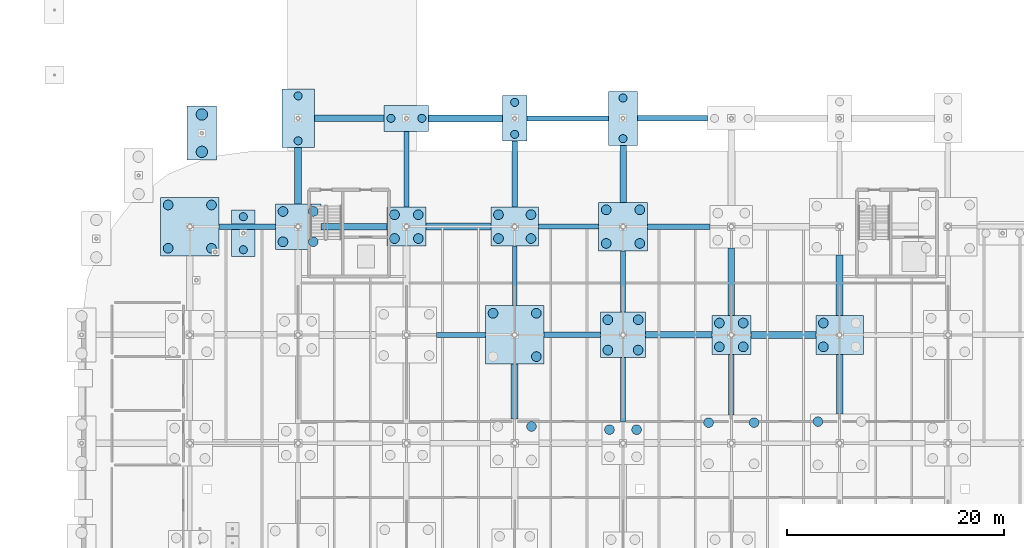
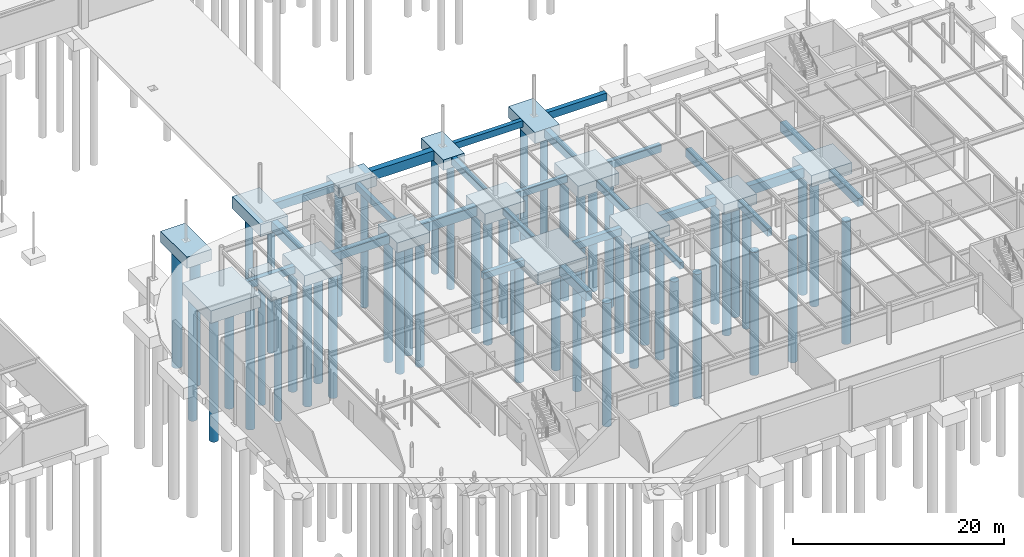
# One storey, part 4 of 75: 51 piles, 40 footings.
"""IFC4 building model written with IfcOpenShell, lengths in metres."""

import ifcopenshell
import ifcopenshell.guid

model = None  # the IFC model being written
_history = None  # IfcOwnerHistory: only IFC2X3 demands one
_inside = {}  # id of a spatial element -> (the spatial element, [elements in it])
_under = {}  # id of a project, library or spatial element -> (it, [spatial elements below it])
_declared = {}  # id of a project -> (the project, [libraries it declares])
_typed = {}  # id of a type object -> (the type object, [elements of that type])
_made_of = {}  # id of a material, layer set ... -> (it, [elements and type objects made of it])


def new_model(schema):
    """Start an empty IFC model of exactly this schema.

    Asked for "IFC4X3", IfcOpenShell would pick the latest addendum, in which some entities
    have other attributes; the version numbers below select the first issue.
    IFC2X3 requires an IfcOwnerHistory on every rooted entity: one is made here for all.
    """
    global model, _history
    if schema == "IFC4X3":
        model = ifcopenshell.file(schema_version=(4, 3, 0, 0))
    else:
        model = ifcopenshell.file(schema=schema)
    _inside.clear()
    _under.clear()
    _declared.clear()
    _typed.clear()
    _made_of.clear()
    _history = None
    if model.schema == "IFC2X3":
        org = make("IfcOrganization", Name="unknown")
        user = make(
            "IfcPersonAndOrganization",
            ThePerson=make("IfcPerson", FamilyName="unknown"),
            TheOrganization=org,
        )
        app = make(
            "IfcApplication",
            ApplicationDeveloper=org,
            Version="unknown",
            ApplicationFullName="unknown",
            ApplicationIdentifier="unknown",
        )
        _history = make(
            "IfcOwnerHistory",
            OwningUser=user,
            OwningApplication=app,
            ChangeAction="ADDED",
            CreationDate=0,
        )
    return model


def make(cls, **values):
    """One entity of the class cls with the attributes given. An attribute that is None is left unset."""
    return model.create_entity(
        cls, **{name: value for name, value in values.items() if value is not None}
    )


def rooted(cls, **values):
    """An entity with a GlobalId (a new one), such as an element, a storey or a relation."""
    return make(cls, GlobalId=ifcopenshell.guid.new(), OwnerHistory=_history, **values)


def si_unit(unit_type, name, prefix=None):
    """IfcSIUnit, for example si_unit("LENGTHUNIT", "METRE", prefix="MILLI")."""
    return make("IfcSIUnit", UnitType=unit_type, Prefix=prefix, Name=name)


def derived_unit(unit_type, elements):
    """IfcDerivedUnit: a product of units, each with its exponent."""
    return make(
        "IfcDerivedUnit",
        Elements=[
            make("IfcDerivedUnitElement", Unit=unit, Exponent=power)
            for unit, power in elements
        ],
        UnitType=unit_type,
    )


def assignment(units):
    """IfcUnitAssignment: the units of a project."""
    return None if units is None else make("IfcUnitAssignment", Units=units)


def point(xyz):
    """IfcCartesianPoint."""
    return None if xyz is None else make("IfcCartesianPoint", Coordinates=xyz)


def direction(xyz):
    """IfcDirection."""
    return None if xyz is None else make("IfcDirection", DirectionRatios=xyz)


def frame(location, z_axis=None, x_axis=None):
    """IfcAxis2Placement3D, a coordinate frame: its origin and axes. An axis left out is left unset."""
    return make(
        "IfcAxis2Placement3D",
        Location=point(location),
        Axis=direction(z_axis),
        RefDirection=direction(x_axis),
    )


def frame_2d(location, x_axis=None):
    """IfcAxis2Placement2D, a coordinate frame in the plane: its origin and x axis."""
    return make(
        "IfcAxis2Placement2D", Location=point(location), RefDirection=direction(x_axis)
    )


def origin():
    """The frame at (0, 0, 0) with its axes left unset."""
    return frame((0.0, 0.0, 0.0))


def origin_2d_with_axis():
    """The frame at (0, 0) in the plane with the x axis (1, 0) written out."""
    return frame_2d((0.0, 0.0), x_axis=(1.0, 0.0))


def place(relative_to, where):
    """IfcLocalPlacement: puts the frame where relative to a parent placement (None: the world)."""
    return make(
        "IfcLocalPlacement", PlacementRelTo=relative_to, RelativePlacement=where
    )


def context(
    kind, dimensions, precision=None, world=None, true_north=None, identifier=None
):
    """IfcGeometricRepresentationContext, for example the 3D "Model" context."""
    return make(
        "IfcGeometricRepresentationContext",
        ContextIdentifier=identifier,
        ContextType=kind,
        CoordinateSpaceDimension=dimensions,
        Precision=precision,
        WorldCoordinateSystem=world,
        TrueNorth=true_north,
    )


def subcontext(parent, identifier, kind, view, scale=None):
    """IfcGeometricRepresentationSubContext, for example "Body" below "Model"."""
    return make(
        "IfcGeometricRepresentationSubContext",
        ContextIdentifier=identifier,
        ContextType=kind,
        ParentContext=parent,
        TargetScale=scale,
        TargetView=view,
    )


def project(units=None, contexts=None):
    """IfcProject with its units and contexts."""
    return rooted(
        "IfcProject",
        Name="project",
        RepresentationContexts=contexts,
        UnitsInContext=assignment(units),
    )


def spatial(cls, under=None, at=None, **own):
    """A site, building, storey or space (cls), placed at a placement, below another one or the project."""
    s = rooted(cls, ObjectPlacement=at, **own)
    if under is not None:
        _under.setdefault(under.id(), (under, []))[1].append(s)
    return s


def profile(cls, at=None, kind="AREA", **sizes):
    """A parametric profile (cls). Its sizes go by their IFC names, for example OverallWidth=200.0."""
    return make(cls, ProfileType=kind, Position=at, **sizes)


def rectangle(**sizes):
    """IfcRectangleProfileDef."""
    return profile("IfcRectangleProfileDef", **sizes)


def circle(**sizes):
    """IfcCircleProfileDef."""
    return profile("IfcCircleProfileDef", **sizes)


def extrude(swept, where, along, depth):
    """IfcExtrudedAreaSolid: the profile swept, set in the frame where, extruded along a direction by depth."""
    return make(
        "IfcExtrudedAreaSolid",
        SweptArea=swept,
        Position=where,
        ExtrudedDirection=direction(along),
        Depth=depth,
    )


def shape(context_of_items, identifier, shape_type, items):
    """IfcShapeRepresentation: the items that make up one representation, for example the "Body"."""
    return make(
        "IfcShapeRepresentation",
        ContextOfItems=context_of_items,
        RepresentationIdentifier=identifier,
        RepresentationType=shape_type,
        Items=items,
    )


def material(Name=None, Category=None):
    """IfcMaterial."""
    return make("IfcMaterial", Name=Name, Category=Category)


def layer(
    of_material, thickness, ventilated=None, Name=None, Category=None, Priority=None
):
    """IfcMaterialLayer: one layer of a wall or slab, of a material (None: an air gap)."""
    return make(
        "IfcMaterialLayer",
        Material=of_material,
        LayerThickness=thickness,
        IsVentilated=ventilated,
        Name=Name,
        Category=Category,
        Priority=Priority,
    )


def layer_set(layers, Name=None):
    """IfcMaterialLayerSet."""
    return make("IfcMaterialLayerSet", MaterialLayers=layers, LayerSetName=Name)


def material_profile(
    of_material, cross_section, Name=None, Category=None, Priority=None
):
    """IfcMaterialProfile: a cross section and its material."""
    return make(
        "IfcMaterialProfile",
        Name=Name,
        Material=of_material,
        Profile=cross_section,
        Priority=Priority,
        Category=Category,
    )


def profile_set(profiles, Name=None, composite=None):
    """IfcMaterialProfileSet."""
    return make(
        "IfcMaterialProfileSet",
        Name=Name,
        MaterialProfiles=profiles,
        CompositeProfile=composite,
    )


def made_of(thing, what):
    """Note that an element or type object is made of a material, layer set ...; save() writes the relation."""
    if what is not None:
        _made_of.setdefault(what.id(), (what, []))[1].append(thing)
    return thing


def type_object(cls, material=None, **own):
    """A type object (cls), such as IfcWallType, which elements share."""
    return made_of(rooted(cls, **own), material)


def element(
    cls,
    number,
    at=None,
    inside=None,
    cuts=None,
    type_object=None,
    material=None,
    context=None,
    identifier="Body",
    shape_type=None,
    held_by="IfcProductDefinitionShape",
    body=None,
    shapes=None,
    **own,
):
    """One element of the class cls, such as IfcWall. Its Tag is "e" and its number.

    at: its placement. inside: the storey or other place that contains it. cuts: it is an
    opening in that element (IfcRelVoidsElement). A single representation is given by context,
    identifier, shape_type and body (its items); several are given by shapes. held_by: the class
    of the entity that holds the representations. save() writes the other relations.
    """
    e = rooted(cls, Tag="e%d" % number, ObjectPlacement=at, **own)
    if body is not None:
        shapes = [shape(context, identifier, shape_type, body)]
    if shapes is not None:
        e.Representation = make(held_by, Representations=shapes)
    if inside is not None:
        _inside.setdefault(inside.id(), (inside, []))[1].append(e)
    if cuts is not None:
        rooted(
            "IfcRelVoidsElement", RelatingBuildingElement=cuts, RelatedOpeningElement=e
        )
    if type_object is not None:
        _typed.setdefault(type_object.id(), (type_object, []))[1].append(e)
    return made_of(e, material)


def aggregate(whole, parts):
    """IfcRelAggregates: a whole, such as a stair, and the parts it consists of."""
    return rooted("IfcRelAggregates", RelatingObject=whole, RelatedObjects=parts)


def save(model, path):
    """Write the relations noted so far, then the file.

    IfcRelAggregates (storeys below a building ...), IfcRelContainedInSpatialStructure (elements
    in a storey), IfcRelDefinesByType, IfcRelAssociatesMaterial and IfcRelDeclares: one each for
    every whole, place, type object, material and project.
    """
    for whole, parts in _under.values():
        aggregate(whole, parts)
    for where, things in _inside.values():
        rooted(
            "IfcRelContainedInSpatialStructure",
            RelatedElements=things,
            RelatingStructure=where,
        )
    for kind, things in _typed.values():
        rooted("IfcRelDefinesByType", RelatedObjects=things, RelatingType=kind)
    for what, things in _made_of.values():
        rooted("IfcRelAssociatesMaterial", RelatedObjects=things, RelatingMaterial=what)
    for by, libraries in _declared.values():
        rooted("IfcRelDeclares", RelatingContext=by, RelatedDefinitions=libraries)
    model.write(path)


model = new_model("IFC4")

# Units and contexts
model_context = context("Model", 3, precision=1e-05, world=origin(), true_north=direction((0.0, 1.0)))
body_context = subcontext(model_context, "Body", "Model", "MODEL_VIEW")
ifc_project = project(units=[si_unit("LENGTHUNIT", "METRE"), si_unit("AREAUNIT", "SQUARE_METRE"), si_unit("VOLUMEUNIT", "CUBIC_METRE"), si_unit("PLANEANGLEUNIT", "RADIAN"), si_unit("MASSUNIT", "GRAM", prefix="KILO"), derived_unit("THERMALTRANSMITTANCEUNIT", [(si_unit("POWERUNIT", "WATT"), 1), (si_unit("LENGTHUNIT", "METRE"), -2), (si_unit("THERMODYNAMICTEMPERATUREUNIT", "KELVIN"), -1)])], contexts=[model_context])

# Site, building, storey
site_placement = place(None, origin())
site = spatial("IfcSite", under=ifc_project, at=site_placement, CompositionType="ELEMENT")
building_placement = place(site_placement, origin())
building = spatial("IfcBuilding", under=site, at=building_placement, Name="Cinnabar Yard Market Hall", CompositionType="ELEMENT")
storey_placement = place(building_placement, frame((0.0, 0.0, -4.5)))
storey = spatial("IfcBuildingStorey", under=building, at=storey_placement, Name="B1", CompositionType="ELEMENT", Elevation=-4.5)

# Footings
ifc_material = material(Name="Concrete 40 MPa", Category="concrete")
ifc_material_profile_1 = material_profile(ifc_material, rectangle(XDim=0.449951171875, YDim=0.75, at=origin_2d_with_axis()), Name="GB-450x750")
ifc_profile_set_1 = profile_set([ifc_material_profile_1], Name="Concrete 40 MPa")
footing_type_1 = type_object("IfcFootingType", Name="FT-GB01", PredefinedType="FOOTING_BEAM", material=ifc_profile_set_1)
footing_1_placement = place(storey_placement, frame((98.800048828125, 54.0, -0.824951171875), z_axis=(1.0, 0.0, 0.0), x_axis=(0.0, 1.0, 0.0)))
element("IfcFooting", 1, at=footing_1_placement, inside=storey, type_object=footing_type_1, Name="Ground Beam X 0060", PredefinedType="FOOTING_BEAM", context=body_context, shape_type="SweptSolid", body=[
    extrude(rectangle(XDim=0.449951171875, YDim=0.75, at=origin_2d_with_axis()), origin(), (0.0, 0.0, 1.0), 4.5),
])
footing_2_placement = place(storey_placement, frame((108.199951171875, 64.0, -0.824951171875), z_axis=(1.0, 0.0, 0.0), x_axis=(0.0, 1.0, 0.0)))
element("IfcFooting", 2, at=footing_2_placement, inside=storey, type_object=footing_type_1, Name="Ground Beam X 0076", PredefinedType="FOOTING_BEAM", context=body_context, shape_type="SweptSolid", body=[
    extrude(rectangle(XDim=0.449951171875, YDim=0.75, at=origin_2d_with_axis()), origin(), (0.0, 0.0, 1.0), 5.550048828125),
])
footing_3_placement = place(storey_placement, frame((107.14990234375, 74.0, -0.824951171875), z_axis=(1.0, 0.0, 0.0), x_axis=(0.0, 1.0, 0.0)))
element("IfcFooting", 3, at=footing_3_placement, inside=storey, type_object=footing_type_1, Name="Ground Beam X 0092", PredefinedType="FOOTING_BEAM", context=body_context, shape_type="SweptSolid", body=[
    extrude(rectangle(XDim=0.449951171875, YDim=0.75, at=origin_2d_with_axis()), origin(), (0.0, 0.0, 1.0), 7.5),
])
footing_4_placement = place(storey_placement, frame((96.0, 65.800048828125, -0.824951171875), z_axis=(0.0, 1.0, 0.0), x_axis=(-1.0, 0.0, 0.0)))
element("IfcFooting", 4, at=footing_4_placement, inside=storey, type_object=footing_type_1, Name="Ground Beam Y 0204", PredefinedType="FOOTING_BEAM", context=body_context, shape_type="SweptSolid", body=[
    extrude(rectangle(XDim=0.449951171875, YDim=0.75, at=origin_2d_with_axis()), origin(), (0.0, 0.0, 1.0), 7.0),
])
footing_5_placement = place(storey_placement, frame((106.0, 56.699951171875, -0.824951171875), z_axis=(0.0, 1.0, 0.0), x_axis=(-1.0, 0.0, 0.0)))
element("IfcFooting", 5, at=footing_5_placement, inside=storey, type_object=footing_type_1, Name="Ground Beam Y 0212", PredefinedType="FOOTING_BEAM", context=body_context, shape_type="SweptSolid", body=[
    extrude(rectangle(XDim=0.449951171875, YDim=0.75, at=origin_2d_with_axis()), origin(), (0.0, 0.0, 1.0), 5.5),
])
footing_6_placement = place(storey_placement, frame((116.0, 45.949951171875, -0.824951171875), z_axis=(0.0, 1.0, 0.0), x_axis=(-1.0, 0.0, 0.0)))
element("IfcFooting", 6, at=footing_6_placement, inside=storey, type_object=footing_type_1, Name="Ground Beam Y 0220", PredefinedType="FOOTING_BEAM", context=body_context, shape_type="SweptSolid", body=[
    extrude(rectangle(XDim=0.449951171875, YDim=0.75, at=origin_2d_with_axis()), origin(), (0.0, 0.0, 1.0), 5.949951171875),
])
ifc_material_profile_2 = material_profile(ifc_material, rectangle(XDim=0.5, YDim=0.85009765625, at=origin_2d_with_axis()), Name="GB-500x850")
ifc_profile_set_2 = profile_set([ifc_material_profile_2], Name="Concrete 40 MPa")
footing_type_2 = type_object("IfcFootingType", Name="FT-GB02", PredefinedType="FOOTING_BEAM", material=ifc_profile_set_2)
for number, where, z_axis, x_axis, name in (
    (7, (108.699951171875, 54.0, -0.875), (1.0, 0.0, 0.0), (0.0, 1.0, 0.0), "Ground Beam X 0061"),
    (8, (78.699951171875, 64.0, -0.875), (1.0, 0.0, 0.0), (0.0, 1.0, 0.0), "Ground Beam X 0073"),
):
    element("IfcFooting", number, at=place(storey_placement, frame(where, z_axis=z_axis, x_axis=x_axis)), inside=storey, type_object=footing_type_2, Name=name, PredefinedType="FOOTING_BEAM", context=body_context, shape_type="SweptSolid", body=[
        extrude(rectangle(XDim=0.5, YDim=0.85009765625, at=origin_2d_with_axis()), origin(), (0.0, 0.0, 1.0), 5.199951171875),
    ])
footing_7_placement = place(storey_placement, frame((118.25, 64.0, -0.875), z_axis=(1.0, 0.0, 0.0), x_axis=(0.0, 1.0, 0.0)))
element("IfcFooting", 9, at=footing_7_placement, inside=storey, type_object=footing_type_2, Name="Ground Beam X 0077", PredefinedType="FOOTING_BEAM", context=body_context, shape_type="SweptSolid", body=[
    extrude(rectangle(XDim=0.5, YDim=0.85009765625, at=origin_2d_with_axis()), origin(), (0.0, 0.0, 1.0), 5.800048828125),
])
footing_8_placement = place(storey_placement, frame((117.35009765625, 74.0, -0.875), z_axis=(1.0, 0.0, 0.0), x_axis=(0.0, 1.0, 0.0)))
element("IfcFooting", 10, at=footing_8_placement, inside=storey, type_object=footing_type_2, Name="Ground Beam X 0093", PredefinedType="FOOTING_BEAM", context=body_context, shape_type="SweptSolid", body=[
    extrude(rectangle(XDim=0.5, YDim=0.85009765625, at=origin_2d_with_axis()), origin(), (0.0, 0.0, 1.0), 6.474853515625),
])
footing_9_placement = place(storey_placement, frame((106.0, 65.800048828125, -0.875), z_axis=(0.0, 1.0, 0.0), x_axis=(-1.0, 0.0, 0.0)))
element("IfcFooting", 11, at=footing_9_placement, inside=storey, type_object=footing_type_2, Name="Ground Beam Y 0213", PredefinedType="FOOTING_BEAM", context=body_context, shape_type="SweptSolid", body=[
    extrude(rectangle(XDim=0.5, YDim=0.85009765625, at=origin_2d_with_axis()), origin(), (0.0, 0.0, 1.0), 6.099853515625),
])
footing_10_placement = place(storey_placement, frame((116.0, 56.10009765625, -0.875), z_axis=(0.0, 1.0, 0.0), x_axis=(-1.0, 0.0, 0.0)))
element("IfcFooting", 12, at=footing_10_placement, inside=storey, type_object=footing_type_2, Name="Ground Beam Y 0221", PredefinedType="FOOTING_BEAM", context=body_context, shape_type="SweptSolid", body=[
    extrude(rectangle(XDim=0.5, YDim=0.85009765625, at=origin_2d_with_axis()), origin(), (0.0, 0.0, 1.0), 5.64990234375),
])
footing_11_placement = place(storey_placement, frame((126.0, 46.60009765625, -0.875), z_axis=(0.0, 1.0, 0.0), x_axis=(-1.0, 0.0, 0.0)))
element("IfcFooting", 13, at=footing_11_placement, inside=storey, type_object=footing_type_2, Name="Ground Beam Y 0229", PredefinedType="FOOTING_BEAM", context=body_context, shape_type="SweptSolid", body=[
    extrude(rectangle(XDim=0.5, YDim=0.85009765625, at=origin_2d_with_axis()), origin(), (0.0, 0.0, 1.0), 5.599853515625),
])
ifc_material_profile_3 = material_profile(ifc_material, rectangle(XDim=0.60009765625, YDim=0.949951171875, at=origin_2d_with_axis()), Name="GB-600x950")
ifc_profile_set_3 = profile_set([ifc_material_profile_3], Name="Concrete 40 MPa")
footing_type_3 = type_object("IfcFootingType", Name="FT-GB03", PredefinedType="FOOTING_BEAM", material=ifc_profile_set_3)
for number, where, z_axis, x_axis, name in (
    (14, (118.10009765625, 54.0, -0.925048828125), (1.0, 0.0, 0.0), (0.0, 1.0, 0.0), "Ground Beam X 0062"),
    (15, (88.10009765625, 64.0, -0.925048828125), (1.0, 0.0, 0.0), (0.0, 1.0, 0.0), "Ground Beam X 0074"),
):
    element("IfcFooting", number, at=place(storey_placement, frame(where, z_axis=z_axis, x_axis=x_axis)), inside=storey, type_object=footing_type_3, Name=name, PredefinedType="FOOTING_BEAM", context=body_context, shape_type="SweptSolid", body=[
        extrude(rectangle(XDim=0.60009765625, YDim=0.949951171875, at=origin_2d_with_axis()), origin(), (0.0, 0.0, 1.0), 6.099853515625),
    ])
footing_12_placement = place(storey_placement, frame((87.5, 74.0, -0.925048828125), z_axis=(1.0, 0.0, 0.0), x_axis=(0.0, 1.0, 0.0)))
element("IfcFooting", 16, at=footing_12_placement, inside=storey, type_object=footing_type_3, Name="Ground Beam X 0090", PredefinedType="FOOTING_BEAM", context=body_context, shape_type="SweptSolid", body=[
    extrude(rectangle(XDim=0.60009765625, YDim=0.949951171875, at=origin_2d_with_axis()), origin(), (0.0, 0.0, 1.0), 6.449951171875),
])
footing_13_placement = place(storey_placement, frame((116.0, 66.25, -0.925048828125), z_axis=(0.0, 1.0, 0.0), x_axis=(-1.0, 0.0, 0.0)))
element("IfcFooting", 17, at=footing_13_placement, inside=storey, type_object=footing_type_3, Name="Ground Beam Y 0222", PredefinedType="FOOTING_BEAM", context=body_context, shape_type="SweptSolid", body=[
    extrude(rectangle(XDim=0.60009765625, YDim=0.949951171875, at=origin_2d_with_axis()), origin(), (0.0, 0.0, 1.0), 5.25),
])
footing_14_placement = place(storey_placement, frame((126.0, 55.800048828125, -0.925048828125), z_axis=(0.0, 1.0, 0.0), x_axis=(-1.0, 0.0, 0.0)))
element("IfcFooting", 18, at=footing_14_placement, inside=storey, type_object=footing_type_3, Name="Ground Beam Y 0230", PredefinedType="FOOTING_BEAM", context=body_context, shape_type="SweptSolid", body=[
    extrude(rectangle(XDim=0.60009765625, YDim=0.949951171875, at=origin_2d_with_axis()), origin(), (0.0, 0.0, 1.0), 6.25),
])
footing_15_placement = place(storey_placement, frame((136.0, 46.699951171875, -0.925048828125), z_axis=(0.0, 1.0, 0.0), x_axis=(-1.0, 0.0, 0.0)))
element("IfcFooting", 19, at=footing_15_placement, inside=storey, type_object=footing_type_3, Name="Ground Beam Y 0238", PredefinedType="FOOTING_BEAM", context=body_context, shape_type="SweptSolid", body=[
    extrude(rectangle(XDim=0.60009765625, YDim=0.949951171875, at=origin_2d_with_axis()), origin(), (0.0, 0.0, 1.0), 5.5),
])
ifc_material_profile_4 = material_profile(ifc_material, rectangle(XDim=0.64990234375, YDim=1.10009765625, at=origin_2d_with_axis()), Name="GB-650x1100")
ifc_profile_set_4 = profile_set([ifc_material_profile_4], Name="Concrete 40 MPa")
footing_type_4 = type_object("IfcFootingType", Name="FT-GB04", PredefinedType="FOOTING_BEAM", material=ifc_profile_set_4)
for number, where, z_axis, x_axis, name in (
    (20, (127.800048828125, 54.0, -1.0), (1.0, 0.0, 0.0), (0.0, 1.0, 0.0), "Ground Beam X 0063"),
    (21, (97.800048828125, 64.0, -1.0), (1.0, 0.0, 0.0), (0.0, 1.0, 0.0), "Ground Beam X 0075"),
):
    element("IfcFooting", number, at=place(storey_placement, frame(where, z_axis=z_axis, x_axis=x_axis)), inside=storey, type_object=footing_type_4, Name=name, PredefinedType="FOOTING_BEAM", context=body_context, shape_type="SweptSolid", body=[
        extrude(rectangle(XDim=0.64990234375, YDim=1.10009765625, at=origin_2d_with_axis()), origin(), (0.0, 0.0, 1.0), 6.0),
    ])
footing_16_placement = place(storey_placement, frame((98.050048828125, 74.0, -1.0), z_axis=(1.0, 0.0, 0.0), x_axis=(0.0, 1.0, 0.0)))
element("IfcFooting", 22, at=footing_16_placement, inside=storey, type_object=footing_type_4, Name="Ground Beam X 0091", PredefinedType="FOOTING_BEAM", context=body_context, shape_type="SweptSolid", body=[
    extrude(rectangle(XDim=0.64990234375, YDim=1.10009765625, at=origin_2d_with_axis()), origin(), (0.0, 0.0, 1.0), 6.800048828125),
])
footing_17_placement = place(storey_placement, frame((86.0, 66.10009765625, -1.0), z_axis=(0.0, 1.0, 0.0), x_axis=(-1.0, 0.0, 0.0)))
element("IfcFooting", 23, at=footing_17_placement, inside=storey, type_object=footing_type_4, Name="Ground Beam Y 0195", PredefinedType="FOOTING_BEAM", context=body_context, shape_type="SweptSolid", body=[
    extrude(rectangle(XDim=0.64990234375, YDim=1.10009765625, at=origin_2d_with_axis()), origin(), (0.0, 0.0, 1.0), 5.199951171875),
])
footing_18_placement = place(storey_placement, frame((106.0, 46.25, -1.0), z_axis=(0.0, 1.0, 0.0), x_axis=(-1.0, 0.0, 0.0)))
element("IfcFooting", 24, at=footing_18_placement, inside=storey, type_object=footing_type_4, Name="Ground Beam Y 0211", PredefinedType="FOOTING_BEAM", context=body_context, shape_type="SweptSolid", body=[
    extrude(rectangle(XDim=0.64990234375, YDim=1.10009765625, at=origin_2d_with_axis()), origin(), (0.0, 0.0, 1.0), 5.050048828125),
])
footing_19_placement = place(storey_placement, frame((136.0, 55.800048828125, -1.0), z_axis=(0.0, 1.0, 0.0), x_axis=(-1.0, 0.0, 0.0)))
element("IfcFooting", 25, at=footing_19_placement, inside=storey, type_object=footing_type_4, Name="Ground Beam Y 0239", PredefinedType="FOOTING_BEAM", context=body_context, shape_type="SweptSolid", body=[
    extrude(rectangle(XDim=0.64990234375, YDim=1.10009765625, at=origin_2d_with_axis()), origin(), (0.0, 0.0, 1.0), 5.599853515625),
])
ifc_layer_1 = layer(ifc_material, 1.14990234375)
ifc_layer_set_1 = layer_set([ifc_layer_1], Name="Concrete 40 MPa")
footing_type_5 = type_object("IfcFootingType", Name="FT-PC03", PredefinedType="PILE_CAP", material=ifc_layer_set_1)
for number, where, z_axis, x_axis, name in (
    (26, (96.0, 64.0, -1.599853515625), (0.0, 0.0, 1.0), (1.0, 0.0, 0.0), "Pile Cap V1I-03-05"),
    (27, (126.0, 54.0, -1.599853515625), (0.0, 0.0, 1.0), (1.0, 0.0, 0.0), "Pile Cap V1I-06-04"),
):
    element("IfcFooting", number, at=place(storey_placement, frame(where, z_axis=z_axis, x_axis=x_axis)), inside=storey, type_object=footing_type_5, Name=name, PredefinedType="PILE_CAP", context=body_context, shape_type="SweptSolid", body=[
        extrude(rectangle(XDim=3.60009765625, YDim=3.60009765625, at=origin_2d_with_axis()), origin(), (0.0, 0.0, 1.0), 1.14990234375),
    ])
ifc_layer_2 = layer(ifc_material, 1.25)
ifc_layer_set_2 = layer_set([ifc_layer_2], Name="Concrete 40 MPa")
footing_type_6 = type_object("IfcFootingType", Name="FT-PC05", PredefinedType="PILE_CAP", material=ifc_layer_set_2)
for number, where, z_axis, x_axis, name in (
    (28, (86.0, 64.0, -1.699951171875), (0.0, 0.0, 1.0), (1.0, 0.0, 0.0), "Pile Cap V1I-02-05"),
    (29, (116.0, 54.0, -1.699951171875), (0.0, 0.0, 1.0), (1.0, 0.0, 0.0), "Pile Cap V1I-05-04"),
):
    element("IfcFooting", number, at=place(storey_placement, frame(where, z_axis=z_axis, x_axis=x_axis)), inside=storey, type_object=footing_type_6, Name=name, PredefinedType="PILE_CAP", context=body_context, shape_type="SweptSolid", body=[
        extrude(rectangle(XDim=4.199951171875, YDim=4.199951171875, at=origin_2d_with_axis()), origin(), (0.0, 0.0, 1.0), 1.25),
    ])
ifc_layer_3 = layer(ifc_material, 1.35009765625)
ifc_layer_set_3 = layer_set([ifc_layer_3], Name="Concrete 40 MPa")
footing_type_7 = type_object("IfcFootingType", Name="FT-PC06", PredefinedType="PILE_CAP", material=ifc_layer_set_3)
footing_20_placement = place(storey_placement, frame((116.0, 64.0, -1.800048828125), z_axis=(0.0, 0.0, 1.0), x_axis=(1.0, 0.0, 0.0)))
element("IfcFooting", 30, at=footing_20_placement, inside=storey, type_object=footing_type_7, Name="Pile Cap V1I-05-05", PredefinedType="PILE_CAP", context=body_context, shape_type="SweptSolid", body=[
    extrude(rectangle(XDim=4.5, YDim=4.5, at=origin_2d_with_axis()), origin(), (0.0, 0.0, 1.0), 1.35009765625),
])
ifc_layer_4 = layer(ifc_material, 1.14990234375)
ifc_layer_set_4 = layer_set([ifc_layer_4], Name="Concrete 40 MPa")
footing_type_8 = type_object("IfcFootingType", Name="FT-PC07", PredefinedType="PILE_CAP", material=ifc_layer_set_4)
footing_21_placement = place(storey_placement, frame((80.9384765625, 63.39111328125, -1.599853515625), z_axis=(0.0, 0.0, 1.0), x_axis=(1.0, 0.0, 0.0)))
element("IfcFooting", 31, at=footing_21_placement, inside=storey, type_object=footing_type_8, Name="Pile Cap V1IC-NW2", PredefinedType="PILE_CAP", context=body_context, shape_type="SweptSolid", body=[
    extrude(rectangle(XDim=2.199951171875, YDim=4.300048828125, at=origin_2d_with_axis()), origin(), (0.0, 0.0, 1.0), 1.14990234375),
])
ifc_layer_5 = layer(ifc_material, 1.199951171875)
ifc_layer_set_5 = layer_set([ifc_layer_5], Name="Concrete 40 MPa")
footing_type_9 = type_object("IfcFootingType", Name="FT-PC08", PredefinedType="PILE_CAP", material=ifc_layer_set_5)
footing_22_placement = place(storey_placement, frame((106.0, 74.0, -1.64990234375), z_axis=(0.0, 0.0, 1.0), x_axis=(1.0, 0.0, 0.0)))
element("IfcFooting", 32, at=footing_22_placement, inside=storey, type_object=footing_type_9, Name="Pile Cap V1N-03", PredefinedType="PILE_CAP", context=body_context, shape_type="SweptSolid", body=[
    extrude(rectangle(XDim=2.300048828125, YDim=4.199951171875, at=origin_2d_with_axis()), origin(), (0.0, 0.0, 1.0), 1.199951171875),
])
ifc_layer_6 = layer(ifc_material, 1.300048828125)
ifc_layer_set_6 = layer_set([ifc_layer_6], Name="Concrete 40 MPa")
footing_type_10 = type_object("IfcFootingType", Name="FT-PC10", PredefinedType="PILE_CAP", material=ifc_layer_set_6)
for number, where, z_axis, x_axis, name in (
    (33, (116.0, 74.0, -1.75), (0.0, 0.0, 1.0), (1.0, 0.0, 0.0), "Pile Cap V1N-04"),
    (34, (77.11181640625, 72.6298828125, -1.75), (0.0, 0.0, 1.0), (1.0, 0.0, 0.0), "Pile Cap V1C-NW2"),
):
    element("IfcFooting", number, at=place(storey_placement, frame(where, z_axis=z_axis, x_axis=x_axis)), inside=storey, type_object=footing_type_10, Name=name, PredefinedType="PILE_CAP", context=body_context, shape_type="SweptSolid", body=[
        extrude(rectangle(XDim=2.699951171875, YDim=5.0, at=origin_2d_with_axis()), origin(), (0.0, 0.0, 1.0), 1.300048828125),
    ])
ifc_layer_7 = layer(ifc_material, 1.39990234375)
ifc_layer_set_7 = layer_set([ifc_layer_7], Name="Concrete 40 MPa")
footing_type_11 = type_object("IfcFootingType", Name="FT-PC11", PredefinedType="PILE_CAP", material=ifc_layer_set_7)
footing_23_placement = place(storey_placement, frame((86.0, 74.0, -1.849853515625), z_axis=(0.0, 0.0, 1.0), x_axis=(1.0, 0.0, 0.0)))
element("IfcFooting", 35, at=footing_23_placement, inside=storey, type_object=footing_type_11, Name="Pile Cap V1N-01", PredefinedType="PILE_CAP", context=body_context, shape_type="SweptSolid", body=[
    extrude(rectangle(XDim=3.0, YDim=5.39990234375, at=origin_2d_with_axis()), origin(), (0.0, 0.0, 1.0), 1.39990234375),
])
ifc_layer_8 = layer(ifc_material, 1.449951171875)
ifc_layer_set_8 = layer_set([ifc_layer_8], Name="Concrete 40 MPa")
footing_type_12 = type_object("IfcFootingType", Name="FT-PC12", PredefinedType="PILE_CAP", material=ifc_layer_set_8)
for number, where, z_axis, x_axis, name in (
    (36, (76.0, 64.0, -1.89990234375), (0.0, 0.0, 1.0), (1.0, 0.0, 0.0), "Pile Cap V1I-01-05"),
    (37, (106.0, 54.0, -1.89990234375), (0.0, 0.0, 1.0), (1.0, 0.0, 0.0), "Pile Cap V1I-04-04"),
):
    element("IfcFooting", number, at=place(storey_placement, frame(where, z_axis=z_axis, x_axis=x_axis)), inside=storey, type_object=footing_type_12, Name=name, PredefinedType="PILE_CAP", context=body_context, shape_type="SweptSolid", body=[
        extrude(rectangle(XDim=5.39990234375, YDim=5.39990234375, at=origin_2d_with_axis()), origin(), (0.0, 0.0, 1.0), 1.449951171875),
    ])
ifc_layer_9 = layer(ifc_material, 1.14990234375)
ifc_layer_set_9 = layer_set([ifc_layer_9], Name="Concrete 40 MPa")
footing_type_13 = type_object("IfcFootingType", Name="FT-PC14", PredefinedType="PILE_CAP", material=ifc_layer_set_9)
footing_24_placement = place(storey_placement, frame((96.0, 74.0, -1.599853515625), z_axis=(0.0, 0.0, 1.0), x_axis=(1.0, 0.0, 0.0)))
element("IfcFooting", 38, at=footing_24_placement, inside=storey, type_object=footing_type_13, Name="Pile Cap V1N-02", PredefinedType="PILE_CAP", context=body_context, shape_type="SweptSolid", body=[
    extrude(rectangle(XDim=4.10009765625, YDim=2.39990234375, at=origin_2d_with_axis()), origin(), (0.0, 0.0, 1.0), 1.14990234375),
])
ifc_layer_10 = layer(ifc_material, 1.300048828125)
ifc_layer_set_10 = layer_set([ifc_layer_10], Name="Concrete 40 MPa")
footing_type_14 = type_object("IfcFootingType", Name="FT-PC15", PredefinedType="PILE_CAP", material=ifc_layer_set_10)
for number, where, z_axis, x_axis, name in (
    (39, (106.0, 64.0, -1.75), (0.0, 0.0, 1.0), (1.0, 0.0, 0.0), "Pile Cap V1I-04-05"),
    (40, (136.0, 54.0, -1.75), (0.0, 0.0, 1.0), (1.0, 0.0, 0.0), "Pile Cap V1I-07-04"),
):
    element("IfcFooting", number, at=place(storey_placement, frame(where, z_axis=z_axis, x_axis=x_axis)), inside=storey, type_object=footing_type_14, Name=name, PredefinedType="PILE_CAP", context=body_context, shape_type="SweptSolid", body=[
        extrude(rectangle(XDim=4.39990234375, YDim=3.60009765625, at=origin_2d_with_axis()), origin(), (0.0, 0.0, 1.0), 1.300048828125),
    ])

# Piles
ifc_material_profile_5 = material_profile(ifc_material, circle(Radius=0.52490234375, at=origin_2d_with_axis()), Name="PILE-D1050")
ifc_profile_set_5 = profile_set([ifc_material_profile_5], Name="Concrete 40 MPa")
pile_type_1 = type_object("IfcPileType", Name="PILE-PL1050", PredefinedType="BORED", material=ifc_profile_set_5)
for number, where, z_axis, x_axis, name in (
    (41, (77.11181640625, 70.90478515625, -1.64990234375), (0.0, 0.0, -1.0), (1.0, 0.0, 0.0), "Bored Pile 0251"),
    (42, (77.11181640625, 74.354736328125, -1.64990234375), (0.0, 0.0, -1.0), (1.0, 0.0, 0.0), "Bored Pile 0252"),
):
    element("IfcPile", number, at=place(storey_placement, frame(where, z_axis=z_axis, x_axis=x_axis)), inside=storey, type_object=pile_type_1, Name=name, PredefinedType="BORED", context=body_context, shape_type="SweptSolid", body=[
        extrude(circle(Radius=0.52490234375, at=origin_2d_with_axis()), origin(), (0.0, 0.0, 1.0), 14.35009765625),
    ])
ifc_material_profile_6 = material_profile(ifc_material, circle(Radius=0.375, at=origin_2d_with_axis()), Name="PILE-D750")
ifc_profile_set_6 = profile_set([ifc_material_profile_6], Name="Concrete 40 MPa")
pile_type_2 = type_object("IfcPileType", Name="PILE-PL750", PredefinedType="BORED", material=ifc_profile_set_6)
for number, where, z_axis, x_axis, name in (
    (43, (86.0, 71.925048828125, -1.75), (0.0, 0.0, -1.0), (1.0, 0.0, 0.0), "Bored Pile 0183"),
    (44, (86.0, 76.074951171875, -1.75), (0.0, 0.0, -1.0), (1.0, 0.0, 0.0), "Bored Pile 0184"),
):
    element("IfcPile", number, at=place(storey_placement, frame(where, z_axis=z_axis, x_axis=x_axis)), inside=storey, type_object=pile_type_2, Name=name, PredefinedType="BORED", context=body_context, shape_type="SweptSolid", body=[
        extrude(circle(Radius=0.375, at=origin_2d_with_axis()), origin(), (0.0, 0.0, 1.0), 14.25),
    ])
for number, where, z_axis, x_axis, name in (
    (45, (94.574951171875, 74.0, -1.5), (0.0, 0.0, -1.0), (1.0, 0.0, 0.0), "Bored Pile 0187"),
    (46, (97.425048828125, 74.0, -1.5), (0.0, 0.0, -1.0), (1.0, 0.0, 0.0), "Bored Pile 0188"),
):
    element("IfcPile", number, at=place(storey_placement, frame(where, z_axis=z_axis, x_axis=x_axis)), inside=storey, type_object=pile_type_2, Name=name, PredefinedType="BORED", context=body_context, shape_type="SweptSolid", body=[
        extrude(circle(Radius=0.375, at=origin_2d_with_axis()), origin(), (0.0, 0.0, 1.0), 14.5),
    ])
for number, where, z_axis, x_axis, name in (
    (47, (106.0, 72.52490234375, -1.550048828125), (0.0, 0.0, -1.0), (1.0, 0.0, 0.0), "Bored Pile 0191"),
    (48, (106.0, 75.47509765625, -1.550048828125), (0.0, 0.0, -1.0), (1.0, 0.0, 0.0), "Bored Pile 0192"),
):
    element("IfcPile", number, at=place(storey_placement, frame(where, z_axis=z_axis, x_axis=x_axis)), inside=storey, type_object=pile_type_2, Name=name, PredefinedType="BORED", context=body_context, shape_type="SweptSolid", body=[
        extrude(circle(Radius=0.375, at=origin_2d_with_axis()), origin(), (0.0, 0.0, 1.0), 14.449951171875),
    ])
for number, where, z_axis, x_axis, name in (
    (49, (116.0, 72.125, -1.64990234375), (0.0, 0.0, -1.0), (1.0, 0.0, 0.0), "Bored Pile 0195"),
    (50, (116.0, 75.875, -1.64990234375), (0.0, 0.0, -1.0), (1.0, 0.0, 0.0), "Bored Pile 0196"),
):
    element("IfcPile", number, at=place(storey_placement, frame(where, z_axis=z_axis, x_axis=x_axis)), inside=storey, type_object=pile_type_2, Name=name, PredefinedType="BORED", context=body_context, shape_type="SweptSolid", body=[
        extrude(circle(Radius=0.375, at=origin_2d_with_axis()), origin(), (0.0, 0.0, 1.0), 14.35009765625),
    ])
for number, where, z_axis, x_axis, name in (
    (51, (80.9384765625, 61.865966796875, -1.5), (0.0, 0.0, -1.0), (1.0, 0.0, 0.0), "Bored Pile 0253"),
    (52, (80.9384765625, 64.916015625, -1.5), (0.0, 0.0, -1.0), (1.0, 0.0, 0.0), "Bored Pile 0254"),
):
    element("IfcPile", number, at=place(storey_placement, frame(where, z_axis=z_axis, x_axis=x_axis)), inside=storey, type_object=pile_type_2, Name=name, PredefinedType="BORED", context=body_context, shape_type="SweptSolid", body=[
        extrude(circle(Radius=0.375, at=origin_2d_with_axis()), origin(), (0.0, 0.0, 1.0), 14.5),
    ])
ifc_material_profile_7 = material_profile(ifc_material, circle(Radius=0.449951171875, at=origin_2d_with_axis()), Name="PILE-D900")
ifc_profile_set_7 = profile_set([ifc_material_profile_7], Name="Concrete 40 MPa")
pile_type_3 = type_object("IfcPileType", Name="PILE-PL900", PredefinedType="BORED", material=ifc_profile_set_7)
for number, where, z_axis, x_axis, name in (
    (53, (74.0, 62.0, -1.800048828125), (0.0, 0.0, -1.0), (1.0, 0.0, 0.0), "Bored Pile 0017"),
    (54, (78.0, 62.0, -1.800048828125), (0.0, 0.0, -1.0), (1.0, 0.0, 0.0), "Bored Pile 0018"),
    (55, (74.0, 66.0, -1.800048828125), (0.0, 0.0, -1.0), (1.0, 0.0, 0.0), "Bored Pile 0019"),
    (56, (78.0, 66.0, -1.800048828125), (0.0, 0.0, -1.0), (1.0, 0.0, 0.0), "Bored Pile 0020"),
):
    element("IfcPile", number, at=place(storey_placement, frame(where, z_axis=z_axis, x_axis=x_axis)), inside=storey, type_object=pile_type_3, Name=name, PredefinedType="BORED", context=body_context, shape_type="SweptSolid", body=[
        extrude(circle(Radius=0.449951171875, at=origin_2d_with_axis()), origin(), (0.0, 0.0, 1.0), 14.199951171875),
    ])
for number, where, z_axis, x_axis, name in (
    (57, (84.60009765625, 62.60009765625, -1.60009765625), (0.0, 0.0, -1.0), (1.0, 0.0, 0.0), "Bored Pile 0037"),
    (58, (87.39990234375, 62.60009765625, -1.60009765625), (0.0, 0.0, -1.0), (1.0, 0.0, 0.0), "Bored Pile 0038"),
    (59, (84.60009765625, 65.39990234375, -1.60009765625), (0.0, 0.0, -1.0), (1.0, 0.0, 0.0), "Bored Pile 0039"),
    (60, (87.39990234375, 65.39990234375, -1.60009765625), (0.0, 0.0, -1.0), (1.0, 0.0, 0.0), "Bored Pile 0040"),
):
    element("IfcPile", number, at=place(storey_placement, frame(where, z_axis=z_axis, x_axis=x_axis)), inside=storey, type_object=pile_type_3, Name=name, PredefinedType="BORED", context=body_context, shape_type="SweptSolid", body=[
        extrude(circle(Radius=0.449951171875, at=origin_2d_with_axis()), origin(), (0.0, 0.0, 1.0), 14.39990234375),
    ])
for number, where, z_axis, x_axis, name in (
    (61, (94.89990234375, 62.89990234375, -1.5), (0.0, 0.0, -1.0), (1.0, 0.0, 0.0), "Bored Pile 0057"),
    (62, (97.10009765625, 62.89990234375, -1.5), (0.0, 0.0, -1.0), (1.0, 0.0, 0.0), "Bored Pile 0058"),
    (63, (94.89990234375, 65.10009765625, -1.5), (0.0, 0.0, -1.0), (1.0, 0.0, 0.0), "Bored Pile 0059"),
    (64, (97.10009765625, 65.10009765625, -1.5), (0.0, 0.0, -1.0), (1.0, 0.0, 0.0), "Bored Pile 0060"),
):
    element("IfcPile", number, at=place(storey_placement, frame(where, z_axis=z_axis, x_axis=x_axis)), inside=storey, type_object=pile_type_3, Name=name, PredefinedType="BORED", context=body_context, shape_type="SweptSolid", body=[
        extrude(circle(Radius=0.449951171875, at=origin_2d_with_axis()), origin(), (0.0, 0.0, 1.0), 14.5),
    ])
pile_1_placement = place(storey_placement, frame((107.550048828125, 45.550048828125, -1.699951171875), z_axis=(0.0, 0.0, -1.0), x_axis=(1.0, 0.0, 0.0)))
element("IfcPile", 65, at=pile_1_placement, inside=storey, type_object=pile_type_3, Name="Bored Pile 0072", PredefinedType="BORED", context=body_context, shape_type="SweptSolid", body=[
    extrude(circle(Radius=0.449951171875, at=origin_2d_with_axis()), origin(), (0.0, 0.0, 1.0), 14.300048828125),
])
for number, where, z_axis, x_axis, name in (
    (66, (108.0, 52.0, -1.800048828125), (0.0, 0.0, -1.0), (1.0, 0.0, 0.0), "Bored Pile 0074"),
    (67, (104.0, 56.0, -1.800048828125), (0.0, 0.0, -1.0), (1.0, 0.0, 0.0), "Bored Pile 0075"),
    (68, (108.0, 56.0, -1.800048828125), (0.0, 0.0, -1.0), (1.0, 0.0, 0.0), "Bored Pile 0076"),
):
    element("IfcPile", number, at=place(storey_placement, frame(where, z_axis=z_axis, x_axis=x_axis)), inside=storey, type_object=pile_type_3, Name=name, PredefinedType="BORED", context=body_context, shape_type="SweptSolid", body=[
        extrude(circle(Radius=0.449951171875, at=origin_2d_with_axis()), origin(), (0.0, 0.0, 1.0), 14.199951171875),
    ])
for number, where, z_axis, x_axis, name in (
    (69, (104.5, 62.89990234375, -1.64990234375), (0.0, 0.0, -1.0), (1.0, 0.0, 0.0), "Bored Pile 0077"),
    (70, (107.5, 62.89990234375, -1.64990234375), (0.0, 0.0, -1.0), (1.0, 0.0, 0.0), "Bored Pile 0078"),
    (71, (104.5, 65.10009765625, -1.64990234375), (0.0, 0.0, -1.0), (1.0, 0.0, 0.0), "Bored Pile 0079"),
    (72, (107.5, 65.10009765625, -1.64990234375), (0.0, 0.0, -1.0), (1.0, 0.0, 0.0), "Bored Pile 0080"),
):
    element("IfcPile", number, at=place(storey_placement, frame(where, z_axis=z_axis, x_axis=x_axis)), inside=storey, type_object=pile_type_3, Name=name, PredefinedType="BORED", context=body_context, shape_type="SweptSolid", body=[
        extrude(circle(Radius=0.449951171875, at=origin_2d_with_axis()), origin(), (0.0, 0.0, 1.0), 14.35009765625),
    ])
for number, where, z_axis, x_axis, name in (
    (73, (114.75, 45.25, -1.550048828125), (0.0, 0.0, -1.0), (1.0, 0.0, 0.0), "Bored Pile 0091"),
    (74, (117.25, 45.25, -1.550048828125), (0.0, 0.0, -1.0), (1.0, 0.0, 0.0), "Bored Pile 0092"),
):
    element("IfcPile", number, at=place(storey_placement, frame(where, z_axis=z_axis, x_axis=x_axis)), inside=storey, type_object=pile_type_3, Name=name, PredefinedType="BORED", context=body_context, shape_type="SweptSolid", body=[
        extrude(circle(Radius=0.449951171875, at=origin_2d_with_axis()), origin(), (0.0, 0.0, 1.0), 14.449951171875),
    ])
for number, where, z_axis, x_axis, name in (
    (75, (114.60009765625, 52.60009765625, -1.60009765625), (0.0, 0.0, -1.0), (1.0, 0.0, 0.0), "Bored Pile 0093"),
    (76, (117.39990234375, 52.60009765625, -1.60009765625), (0.0, 0.0, -1.0), (1.0, 0.0, 0.0), "Bored Pile 0094"),
    (77, (114.60009765625, 55.39990234375, -1.60009765625), (0.0, 0.0, -1.0), (1.0, 0.0, 0.0), "Bored Pile 0095"),
    (78, (117.39990234375, 55.39990234375, -1.60009765625), (0.0, 0.0, -1.0), (1.0, 0.0, 0.0), "Bored Pile 0096"),
):
    element("IfcPile", number, at=place(storey_placement, frame(where, z_axis=z_axis, x_axis=x_axis)), inside=storey, type_object=pile_type_3, Name=name, PredefinedType="BORED", context=body_context, shape_type="SweptSolid", body=[
        extrude(circle(Radius=0.449951171875, at=origin_2d_with_axis()), origin(), (0.0, 0.0, 1.0), 14.39990234375),
    ])
for number, where, z_axis, x_axis, name in (
    (79, (114.449951171875, 62.449951171875, -1.699951171875), (0.0, 0.0, -1.0), (1.0, 0.0, 0.0), "Bored Pile 0097"),
    (80, (117.550048828125, 62.449951171875, -1.699951171875), (0.0, 0.0, -1.0), (1.0, 0.0, 0.0), "Bored Pile 0098"),
    (81, (114.449951171875, 65.550048828125, -1.699951171875), (0.0, 0.0, -1.0), (1.0, 0.0, 0.0), "Bored Pile 0099"),
    (82, (117.550048828125, 65.550048828125, -1.699951171875), (0.0, 0.0, -1.0), (1.0, 0.0, 0.0), "Bored Pile 0100"),
):
    element("IfcPile", number, at=place(storey_placement, frame(where, z_axis=z_axis, x_axis=x_axis)), inside=storey, type_object=pile_type_3, Name=name, PredefinedType="BORED", context=body_context, shape_type="SweptSolid", body=[
        extrude(circle(Radius=0.449951171875, at=origin_2d_with_axis()), origin(), (0.0, 0.0, 1.0), 14.300048828125),
    ])
for number, where, z_axis, x_axis, name in (
    (83, (123.89990234375, 45.89990234375, -1.75), (0.0, 0.0, -1.0), (1.0, 0.0, 0.0), "Bored Pile 0111"),
    (84, (128.10009765625, 45.89990234375, -1.75), (0.0, 0.0, -1.0), (1.0, 0.0, 0.0), "Bored Pile 0112"),
):
    element("IfcPile", number, at=place(storey_placement, frame(where, z_axis=z_axis, x_axis=x_axis)), inside=storey, type_object=pile_type_3, Name=name, PredefinedType="BORED", context=body_context, shape_type="SweptSolid", body=[
        extrude(circle(Radius=0.449951171875, at=origin_2d_with_axis()), origin(), (0.0, 0.0, 1.0), 14.25),
    ])
for number, where, z_axis, x_axis, name in (
    (85, (124.89990234375, 52.89990234375, -1.5), (0.0, 0.0, -1.0), (1.0, 0.0, 0.0), "Bored Pile 0113"),
    (86, (127.10009765625, 52.89990234375, -1.5), (0.0, 0.0, -1.0), (1.0, 0.0, 0.0), "Bored Pile 0114"),
    (87, (124.89990234375, 55.10009765625, -1.5), (0.0, 0.0, -1.0), (1.0, 0.0, 0.0), "Bored Pile 0115"),
    (88, (127.10009765625, 55.10009765625, -1.5), (0.0, 0.0, -1.0), (1.0, 0.0, 0.0), "Bored Pile 0116"),
):
    element("IfcPile", number, at=place(storey_placement, frame(where, z_axis=z_axis, x_axis=x_axis)), inside=storey, type_object=pile_type_3, Name=name, PredefinedType="BORED", context=body_context, shape_type="SweptSolid", body=[
        extrude(circle(Radius=0.449951171875, at=origin_2d_with_axis()), origin(), (0.0, 0.0, 1.0), 14.5),
    ])
pile_2_placement = place(storey_placement, frame((134.0, 46.0, -1.800048828125), z_axis=(0.0, 0.0, -1.0), x_axis=(1.0, 0.0, 0.0)))
element("IfcPile", 89, at=pile_2_placement, inside=storey, type_object=pile_type_3, Name="Bored Pile 0131", PredefinedType="BORED", context=body_context, shape_type="SweptSolid", body=[
    extrude(circle(Radius=0.449951171875, at=origin_2d_with_axis()), origin(), (0.0, 0.0, 1.0), 14.199951171875),
])
for number, where, z_axis, x_axis, name in (
    (90, (134.5, 52.89990234375, -1.64990234375), (0.0, 0.0, -1.0), (1.0, 0.0, 0.0), "Bored Pile 0133"),
    (91, (134.5, 55.10009765625, -1.64990234375), (0.0, 0.0, -1.0), (1.0, 0.0, 0.0), "Bored Pile 0135"),
):
    element("IfcPile", number, at=place(storey_placement, frame(where, z_axis=z_axis, x_axis=x_axis)), inside=storey, type_object=pile_type_3, Name=name, PredefinedType="BORED", context=body_context, shape_type="SweptSolid", body=[
        extrude(circle(Radius=0.449951171875, at=origin_2d_with_axis()), origin(), (0.0, 0.0, 1.0), 14.35009765625),
    ])

save(model, "model.ifc")
